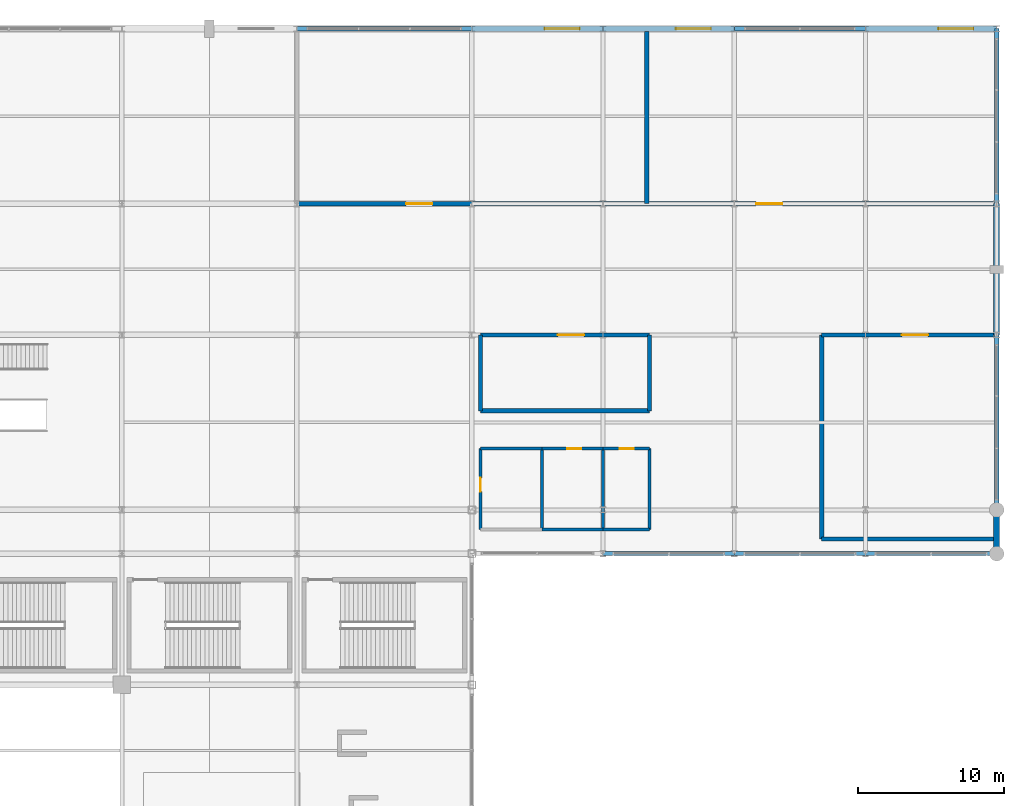
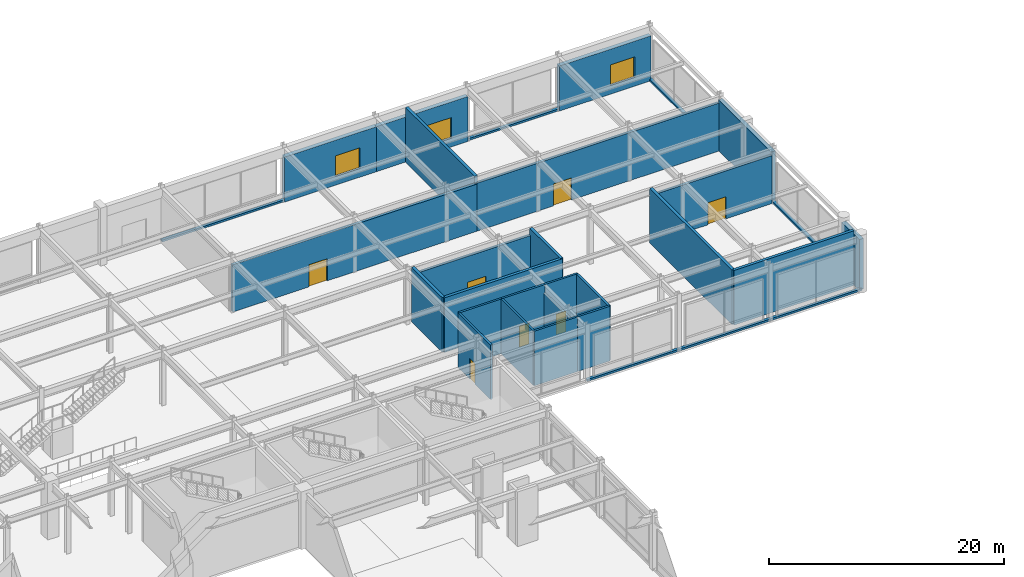
# One storey, part 91 of 105: 31 walls, 7 doors, 3 windows, 10 openings.
"""IFC4 building model written with IfcOpenShell, lengths in metres."""

import ifcopenshell
import ifcopenshell.guid

model = None  # the IFC model being written
_history = None  # IfcOwnerHistory: only IFC2X3 demands one
_inside = {}  # id of a spatial element -> (the spatial element, [elements in it])
_under = {}  # id of a project, library or spatial element -> (it, [spatial elements below it])
_declared = {}  # id of a project -> (the project, [libraries it declares])
_typed = {}  # id of a type object -> (the type object, [elements of that type])
_made_of = {}  # id of a material, layer set ... -> (it, [elements and type objects made of it])


def new_model(schema):
    """Start an empty IFC model of exactly this schema.

    Asked for "IFC4X3", IfcOpenShell would pick the latest addendum, in which some entities
    have other attributes; the version numbers below select the first issue.
    IFC2X3 requires an IfcOwnerHistory on every rooted entity: one is made here for all.
    """
    global model, _history
    if schema == "IFC4X3":
        model = ifcopenshell.file(schema_version=(4, 3, 0, 0))
    else:
        model = ifcopenshell.file(schema=schema)
    _inside.clear()
    _under.clear()
    _declared.clear()
    _typed.clear()
    _made_of.clear()
    _history = None
    if model.schema == "IFC2X3":
        org = make("IfcOrganization", Name="unknown")
        user = make(
            "IfcPersonAndOrganization",
            ThePerson=make("IfcPerson", FamilyName="unknown"),
            TheOrganization=org,
        )
        app = make(
            "IfcApplication",
            ApplicationDeveloper=org,
            Version="unknown",
            ApplicationFullName="unknown",
            ApplicationIdentifier="unknown",
        )
        _history = make(
            "IfcOwnerHistory",
            OwningUser=user,
            OwningApplication=app,
            ChangeAction="ADDED",
            CreationDate=0,
        )
    return model


def make(cls, **values):
    """One entity of the class cls with the attributes given. An attribute that is None is left unset."""
    return model.create_entity(
        cls, **{name: value for name, value in values.items() if value is not None}
    )


def rooted(cls, **values):
    """An entity with a GlobalId (a new one), such as an element, a storey or a relation."""
    return make(cls, GlobalId=ifcopenshell.guid.new(), OwnerHistory=_history, **values)


def si_unit(unit_type, name, prefix=None):
    """IfcSIUnit, for example si_unit("LENGTHUNIT", "METRE", prefix="MILLI")."""
    return make("IfcSIUnit", UnitType=unit_type, Prefix=prefix, Name=name)


def assignment(units):
    """IfcUnitAssignment: the units of a project."""
    return None if units is None else make("IfcUnitAssignment", Units=units)


def point(xyz):
    """IfcCartesianPoint."""
    return None if xyz is None else make("IfcCartesianPoint", Coordinates=xyz)


def direction(xyz):
    """IfcDirection."""
    return None if xyz is None else make("IfcDirection", DirectionRatios=xyz)


def frame(location, z_axis=None, x_axis=None):
    """IfcAxis2Placement3D, a coordinate frame: its origin and axes. An axis left out is left unset."""
    return make(
        "IfcAxis2Placement3D",
        Location=point(location),
        Axis=direction(z_axis),
        RefDirection=direction(x_axis),
    )


def frame_2d(location, x_axis=None):
    """IfcAxis2Placement2D, a coordinate frame in the plane: its origin and x axis."""
    return make(
        "IfcAxis2Placement2D", Location=point(location), RefDirection=direction(x_axis)
    )


def origin():
    """The frame at (0, 0, 0) with its axes left unset."""
    return frame((0.0, 0.0, 0.0))


def place(relative_to, where):
    """IfcLocalPlacement: puts the frame where relative to a parent placement (None: the world)."""
    return make(
        "IfcLocalPlacement", PlacementRelTo=relative_to, RelativePlacement=where
    )


def context(
    kind, dimensions, precision=None, world=None, true_north=None, identifier=None
):
    """IfcGeometricRepresentationContext, for example the 3D "Model" context."""
    return make(
        "IfcGeometricRepresentationContext",
        ContextIdentifier=identifier,
        ContextType=kind,
        CoordinateSpaceDimension=dimensions,
        Precision=precision,
        WorldCoordinateSystem=world,
        TrueNorth=true_north,
    )


def subcontext(parent, identifier, kind, view, scale=None):
    """IfcGeometricRepresentationSubContext, for example "Body" below "Model"."""
    return make(
        "IfcGeometricRepresentationSubContext",
        ContextIdentifier=identifier,
        ContextType=kind,
        ParentContext=parent,
        TargetScale=scale,
        TargetView=view,
    )


def project(units=None, contexts=None):
    """IfcProject with its units and contexts."""
    return rooted(
        "IfcProject",
        Name="project",
        RepresentationContexts=contexts,
        UnitsInContext=assignment(units),
    )


def spatial(cls, under=None, at=None, **own):
    """A site, building, storey or space (cls), placed at a placement, below another one or the project."""
    s = rooted(cls, ObjectPlacement=at, **own)
    if under is not None:
        _under.setdefault(under.id(), (under, []))[1].append(s)
    return s


def profile(cls, at=None, kind="AREA", **sizes):
    """A parametric profile (cls). Its sizes go by their IFC names, for example OverallWidth=200.0."""
    return make(cls, ProfileType=kind, Position=at, **sizes)


def rectangle(**sizes):
    """IfcRectangleProfileDef."""
    return profile("IfcRectangleProfileDef", **sizes)


def extrude(swept, where, along, depth):
    """IfcExtrudedAreaSolid: the profile swept, set in the frame where, extruded along a direction by depth."""
    return make(
        "IfcExtrudedAreaSolid",
        SweptArea=swept,
        Position=where,
        ExtrudedDirection=direction(along),
        Depth=depth,
    )


def shape(context_of_items, identifier, shape_type, items):
    """IfcShapeRepresentation: the items that make up one representation, for example the "Body"."""
    return make(
        "IfcShapeRepresentation",
        ContextOfItems=context_of_items,
        RepresentationIdentifier=identifier,
        RepresentationType=shape_type,
        Items=items,
    )


def material(Name=None, Category=None):
    """IfcMaterial."""
    return make("IfcMaterial", Name=Name, Category=Category)


def layer(
    of_material, thickness, ventilated=None, Name=None, Category=None, Priority=None
):
    """IfcMaterialLayer: one layer of a wall or slab, of a material (None: an air gap)."""
    return make(
        "IfcMaterialLayer",
        Material=of_material,
        LayerThickness=thickness,
        IsVentilated=ventilated,
        Name=Name,
        Category=Category,
        Priority=Priority,
    )


def layer_set(layers, Name=None):
    """IfcMaterialLayerSet."""
    return make("IfcMaterialLayerSet", MaterialLayers=layers, LayerSetName=Name)


def made_of(thing, what):
    """Note that an element or type object is made of a material, layer set ...; save() writes the relation."""
    if what is not None:
        _made_of.setdefault(what.id(), (what, []))[1].append(thing)
    return thing


def type_object(cls, material=None, **own):
    """A type object (cls), such as IfcWallType, which elements share."""
    return made_of(rooted(cls, **own), material)


def element(
    cls,
    number,
    at=None,
    inside=None,
    cuts=None,
    type_object=None,
    material=None,
    context=None,
    identifier="Body",
    shape_type=None,
    held_by="IfcProductDefinitionShape",
    body=None,
    shapes=None,
    **own,
):
    """One element of the class cls, such as IfcWall. Its Tag is "e" and its number.

    at: its placement. inside: the storey or other place that contains it. cuts: it is an
    opening in that element (IfcRelVoidsElement). A single representation is given by context,
    identifier, shape_type and body (its items); several are given by shapes. held_by: the class
    of the entity that holds the representations. save() writes the other relations.
    """
    e = rooted(cls, Tag="e%d" % number, ObjectPlacement=at, **own)
    if body is not None:
        shapes = [shape(context, identifier, shape_type, body)]
    if shapes is not None:
        e.Representation = make(held_by, Representations=shapes)
    if inside is not None:
        _inside.setdefault(inside.id(), (inside, []))[1].append(e)
    if cuts is not None:
        rooted(
            "IfcRelVoidsElement", RelatingBuildingElement=cuts, RelatedOpeningElement=e
        )
    if type_object is not None:
        _typed.setdefault(type_object.id(), (type_object, []))[1].append(e)
    return made_of(e, material)


def fill(opening, filler):
    """IfcRelFillsElement: the door or window that sits in an opening."""
    return rooted(
        "IfcRelFillsElement",
        RelatingOpeningElement=opening,
        RelatedBuildingElement=filler,
    )


def aggregate(whole, parts):
    """IfcRelAggregates: a whole, such as a stair, and the parts it consists of."""
    return rooted("IfcRelAggregates", RelatingObject=whole, RelatedObjects=parts)


def save(model, path):
    """Write the relations noted so far, then the file.

    IfcRelAggregates (storeys below a building ...), IfcRelContainedInSpatialStructure (elements
    in a storey), IfcRelDefinesByType, IfcRelAssociatesMaterial and IfcRelDeclares: one each for
    every whole, place, type object, material and project.
    """
    for whole, parts in _under.values():
        aggregate(whole, parts)
    for where, things in _inside.values():
        rooted(
            "IfcRelContainedInSpatialStructure",
            RelatedElements=things,
            RelatingStructure=where,
        )
    for kind, things in _typed.values():
        rooted("IfcRelDefinesByType", RelatedObjects=things, RelatingType=kind)
    for what, things in _made_of.values():
        rooted("IfcRelAssociatesMaterial", RelatedObjects=things, RelatingMaterial=what)
    for by, libraries in _declared.values():
        rooted("IfcRelDeclares", RelatingContext=by, RelatedDefinitions=libraries)
    model.write(path)


model = new_model("IFC4")

# Units and contexts
model_context = context("Model", 3, precision=1e-05, world=origin(), true_north=direction((0.0, 1.0)))
body_context = subcontext(model_context, "Body", "Model", "MODEL_VIEW")
ifc_project = project(units=[si_unit("LENGTHUNIT", "METRE"), si_unit("AREAUNIT", "SQUARE_METRE"), si_unit("VOLUMEUNIT", "CUBIC_METRE"), si_unit("PLANEANGLEUNIT", "RADIAN"), si_unit("MASSUNIT", "GRAM", prefix="KILO")], contexts=[model_context])

# Site, building, storey
site_placement = place(None, origin())
site = spatial("IfcSite", under=ifc_project, at=site_placement, CompositionType="ELEMENT")
building_placement = place(site_placement, origin())
building = spatial("IfcBuilding", under=site, at=building_placement, Name="Kaldorvane Square Convention Centre", CompositionType="ELEMENT")
storey_placement = place(building_placement, frame((0.0, 0.0, 6.0)))
storey = spatial("IfcBuildingStorey", under=building, at=storey_placement, Name="L01", CompositionType="ELEMENT", Elevation=6.0)

# Walls
ifc_material_1 = material(Name="Reinforced Concrete Masonry Acoustic Partition", Category="masonry")
ifc_layer_1 = layer(ifc_material_1, 0.279998779296875)
ifc_layer_set_1 = layer_set([ifc_layer_1], Name="Reinforced Concrete Masonry Acoustic Partition")
wall_type_1 = type_object("IfcWallType", Name="WL-ACO-280", PredefinedType="PARTITIONING", material=ifc_layer_set_1)
wall_1_placement = place(storey_placement, frame((138.60000610351562, 90.80000305175781, 0.0), z_axis=(0.0, 0.0, 1.0), x_axis=(1.0, 0.0, 0.0)))
element("IfcWall", 1, at=wall_1_placement, inside=storey, type_object=wall_type_1, Name="Meeting Room 104 S Wall", PredefinedType="PARTITIONING", context=body_context, shape_type="SweptSolid", body=[
    extrude(rectangle(XDim=11.599990844726562, YDim=0.279998779296875, at=frame_2d((5.79998779296875, 0.0))), origin(), (0.0, 0.0, 1.0), 5.67999267578125),
])
wall_2_placement = place(storey_placement, frame((150.1999969482422, 90.80000305175781, 0.0), z_axis=(0.0, 0.0, 1.0), x_axis=(0.0, 1.0, 0.0)))
element("IfcWall", 2, at=wall_2_placement, inside=storey, type_object=wall_type_1, Name="Meeting Room 104 E Wall", PredefinedType="PARTITIONING", context=body_context, shape_type="SweptSolid", body=[
    extrude(rectangle(XDim=5.1999969482421875, YDim=0.279998779296875, at=frame_2d((2.600006103515625, 0.0))), origin(), (0.0, 0.0, 1.0), 5.67999267578125),
])

# Wall, opening, door
wall_3_placement = place(storey_placement, frame((150.1999969482422, 96.0, 0.0), z_axis=(0.0, 0.0, 1.0), x_axis=(-1.0, 0.0, 0.0)))
wall_3 = element("IfcWall", 3, at=wall_3_placement, inside=storey, type_object=wall_type_1, Name="Meeting Room 104 N Wall", PredefinedType="PARTITIONING", context=body_context, shape_type="SweptSolid", body=[
    extrude(rectangle(XDim=11.599990844726562, YDim=0.279998779296875, at=frame_2d((5.79998779296875, 0.0))), origin(), (0.0, 0.0, 1.0), 4.98699951171875),
])
opening_1_placement = place(wall_3_placement, frame((4.5, 0.0, 0.0)))
opening_1 = element("IfcOpeningElement", 4, at=opening_1_placement, cuts=wall_3, Name="Opening ID-06", PredefinedType="OPENING", context=body_context, shape_type="SweptSolid", body=[
    extrude(rectangle(XDim=1.8000030517578125, YDim=2.3000030517578125, at=frame_2d((0.899993896484375, 1.149993896484375))), frame((0.0, 0.154998779296875, 0.0), z_axis=(0.0, -1.0, 0.0), x_axis=(1.0, 0.0, 0.0)), (0.0, 0.0, 1.0), 0.30999755859375),
])
ifc_material_2 = material(Name="Architectural Solid-Core White Oak")
door_type_1 = type_object("IfcDoorType", Name="DR-MEET-1800X2300", OperationType="DOUBLE_DOOR_SINGLE_SWING", PredefinedType="DOOR", material=ifc_material_2)
door_1_placement = place(opening_1_placement, origin())
door_1 = element("IfcDoor", 5, at=door_1_placement, inside=storey, type_object=door_type_1, Name="Meeting Room 104 Door 1", OperationType="DOUBLE_DOOR_SINGLE_SWING", OverallHeight=2.3000030517578125, OverallWidth=1.8000030517578125, PredefinedType="DOOR", context=body_context, shape_type="SweptSolid", body=[
    extrude(rectangle(XDim=1.8000030517578125, YDim=2.3000030517578125, at=frame_2d((0.899993896484375, 1.149993896484375))), frame((0.0, 0.024993896484375, 0.0), z_axis=(0.0, -1.0, 0.0), x_axis=(1.0, 0.0, 0.0)), (0.0, 0.0, 1.0), 0.0500030517578125),
])
fill(opening_1, door_1)

# Walls
wall_4_placement = place(storey_placement, frame((138.60000610351562, 96.0, 0.0), z_axis=(0.0, 0.0, 1.0), x_axis=(0.0, -1.0, 0.0)))
element("IfcWall", 6, at=wall_4_placement, inside=storey, type_object=wall_type_1, Name="Meeting Room 104 W Wall", PredefinedType="PARTITIONING", context=body_context, shape_type="SweptSolid", body=[
    extrude(rectangle(XDim=5.1999969482421875, YDim=0.279998779296875, at=frame_2d((2.600006103515625, 0.0))), origin(), (0.0, 0.0, 1.0), 5.67999267578125),
])
wall_5_placement = place(storey_placement, frame((162.0, 82.0, 0.0), z_axis=(0.0, 0.0, 1.0), x_axis=(1.0, 0.0, 0.0)))
element("IfcWall", 7, at=wall_5_placement, inside=storey, type_object=wall_type_1, Name="Meeting Room 105 S Wall", PredefinedType="PARTITIONING", context=body_context, shape_type="SweptSolid", body=[
    extrude(rectangle(XDim=11.794998168945312, YDim=0.279998779296875, at=frame_2d((5.897491455078125, 0.0))), origin(), (0.0, 0.0, 1.0), 5.67999267578125),
])

# Wall, opening, door
wall_6_placement = place(storey_placement, frame((173.7949981689453, 96.0, 0.0), z_axis=(0.0, 0.0, 1.0), x_axis=(-1.0, 0.0, 0.0)))
wall_6 = element("IfcWall", 8, at=wall_6_placement, inside=storey, type_object=wall_type_1, Name="Meeting Room 105 N Wall", PredefinedType="PARTITIONING", context=body_context, shape_type="SweptSolid", body=[
    extrude(rectangle(XDim=11.794998168945312, YDim=0.279998779296875, at=frame_2d((5.897491455078125, 0.0))), origin(), (0.0, 0.0, 1.0), 4.98699951171875),
])
opening_2_placement = place(wall_6_placement, frame((4.5, 0.0, 0.0)))
opening_2 = element("IfcOpeningElement", 9, at=opening_2_placement, cuts=wall_6, Name="Opening ID-06", PredefinedType="OPENING", context=body_context, shape_type="SweptSolid", body=[
    extrude(rectangle(XDim=1.8000030517578125, YDim=2.3000030517578125, at=frame_2d((0.899993896484375, 1.149993896484375))), frame((0.0, 0.154998779296875, 0.0), z_axis=(0.0, -1.0, 0.0), x_axis=(1.0, 0.0, 0.0)), (0.0, 0.0, 1.0), 0.30999755859375),
])
door_2_placement = place(opening_2_placement, origin())
door_2 = element("IfcDoor", 10, at=door_2_placement, inside=storey, type_object=door_type_1, Name="Meeting Room 105 Door 1", OperationType="DOUBLE_DOOR_SINGLE_SWING", OverallHeight=2.3000030517578125, OverallWidth=1.8000030517578125, PredefinedType="DOOR", context=body_context, shape_type="SweptSolid", body=[
    extrude(rectangle(XDim=1.8000030517578125, YDim=2.3000030517578125, at=frame_2d((0.899993896484375, 1.149993896484375))), frame((0.0, 0.024993896484375, 0.0), z_axis=(0.0, -1.0, 0.0), x_axis=(1.0, 0.0, 0.0)), (0.0, 0.0, 1.0), 0.0500030517578125),
])
fill(opening_2, door_2)

# Wall
wall_7_placement = place(storey_placement, frame((162.0, 96.0, 0.0), z_axis=(0.0, 0.0, 1.0), x_axis=(0.0, -1.0, 0.0)))
element("IfcWall", 11, at=wall_7_placement, inside=storey, type_object=wall_type_1, Name="Meeting Room 105 W Wall", PredefinedType="PARTITIONING", context=body_context, shape_type="SweptSolid", body=[
    extrude(rectangle(XDim=14.0, YDim=0.279998779296875, at=frame_2d((7.0, 0.0))), origin(), (0.0, 0.0, 1.0), 5.67999267578125),
])

# Wall, opening, door
wall_8_placement = place(storey_placement, frame((126.0, 105.0, 0.0), z_axis=(0.0, 0.0, 1.0), x_axis=(1.0, 0.0, 0.0)))
wall_8 = element("IfcWall", 12, at=wall_8_placement, inside=storey, type_object=wall_type_1, Name="Meeting Room 106 S Wall", PredefinedType="PARTITIONING", context=body_context, shape_type="SweptSolid", body=[
    extrude(rectangle(XDim=24.0, YDim=0.279998779296875, at=frame_2d((12.0, 0.0))), origin(), (0.0, 0.0, 1.0), 4.9019927978515625),
])
opening_3_placement = place(wall_8_placement, frame((7.5, 0.0, 0.0)))
opening_3 = element("IfcOpeningElement", 13, at=opening_3_placement, cuts=wall_8, Name="Opening ID-06", PredefinedType="OPENING", context=body_context, shape_type="SweptSolid", body=[
    extrude(rectangle(XDim=1.8000030517578125, YDim=2.3000030517578125, at=frame_2d((0.899993896484375, 1.149993896484375))), frame((0.0, 0.154998779296875, 0.0), z_axis=(0.0, -1.0, 0.0), x_axis=(1.0, 0.0, 0.0)), (0.0, 0.0, 1.0), 0.30999755859375),
])
door_3_placement = place(opening_3_placement, origin())
door_3 = element("IfcDoor", 14, at=door_3_placement, inside=storey, type_object=door_type_1, Name="Meeting Room 106 Door 1", OperationType="DOUBLE_DOOR_SINGLE_SWING", OverallHeight=2.3000030517578125, OverallWidth=1.8000030517578125, PredefinedType="DOOR", context=body_context, shape_type="SweptSolid", body=[
    extrude(rectangle(XDim=1.8000030517578125, YDim=2.3000030517578125, at=frame_2d((0.899993896484375, 1.149993896484375))), frame((0.0, 0.024993896484375, 0.0), z_axis=(0.0, -1.0, 0.0), x_axis=(1.0, 0.0, 0.0)), (0.0, 0.0, 1.0), 0.0500030517578125),
])
fill(opening_3, door_3)

# Wall
wall_9_placement = place(storey_placement, frame((150.0, 105.0, 0.0), z_axis=(0.0, 0.0, 1.0), x_axis=(0.0, 1.0, 0.0)))
element("IfcWall", 15, at=wall_9_placement, inside=storey, type_object=wall_type_1, Name="Meeting Room 106 E Wall", PredefinedType="PARTITIONING", context=body_context, shape_type="SweptSolid", body=[
    extrude(rectangle(XDim=11.794998168945312, YDim=0.279998779296875, at=frame_2d((5.897491455078125, 0.0))), origin(), (0.0, 0.0, 1.0), 5.67999267578125),
])

# Wall, opening, door
wall_10_placement = place(storey_placement, frame((150.0, 105.0, 0.0), z_axis=(0.0, 0.0, 1.0), x_axis=(1.0, 0.0, 0.0)))
wall_10 = element("IfcWall", 16, at=wall_10_placement, inside=storey, type_object=wall_type_1, Name="Meeting Room 107 S Wall", PredefinedType="PARTITIONING", context=body_context, shape_type="SweptSolid", body=[
    extrude(rectangle(XDim=23.794998168945312, YDim=0.279998779296875, at=frame_2d((11.897491455078125, 0.0))), origin(), (0.0, 0.0, 1.0), 4.98699951171875),
])
opening_4_placement = place(wall_10_placement, frame((7.5, 0.0, 0.0)))
opening_4 = element("IfcOpeningElement", 17, at=opening_4_placement, cuts=wall_10, Name="Opening ID-06", PredefinedType="OPENING", context=body_context, shape_type="SweptSolid", body=[
    extrude(rectangle(XDim=1.8000030517578125, YDim=2.3000030517578125, at=frame_2d((0.899993896484375, 1.149993896484375))), frame((0.0, 0.154998779296875, 0.0), z_axis=(0.0, -1.0, 0.0), x_axis=(1.0, 0.0, 0.0)), (0.0, 0.0, 1.0), 0.30999755859375),
])
door_4_placement = place(opening_4_placement, origin())
door_4 = element("IfcDoor", 18, at=door_4_placement, inside=storey, type_object=door_type_1, Name="Meeting Room 107 Door 1", OperationType="DOUBLE_DOOR_SINGLE_SWING", OverallHeight=2.3000030517578125, OverallWidth=1.8000030517578125, PredefinedType="DOOR", context=body_context, shape_type="SweptSolid", body=[
    extrude(rectangle(XDim=1.8000030517578125, YDim=2.3000030517578125, at=frame_2d((0.899993896484375, 1.149993896484375))), frame((0.0, 0.024993896484375, 0.0), z_axis=(0.0, -1.0, 0.0), x_axis=(1.0, 0.0, 0.0)), (0.0, 0.0, 1.0), 0.0500030517578125),
])
fill(opening_4, door_4)

# Walls
ifc_material_3 = material(Name="Fire-Rated Gypsum Board on Acoustic Steel Studs", Category="steel")
ifc_layer_2 = layer(ifc_material_3, 0.1999969482421875)
ifc_layer_set_2 = layer_set([ifc_layer_2], Name="Fire-Rated Gypsum Board on Acoustic Steel Studs")
wall_type_2 = type_object("IfcWallType", Name="WL-CORR-200", PredefinedType="PARTITIONING", material=ifc_layer_set_2)
wall_11_placement = place(storey_placement, frame((142.8000030517578, 82.64999389648438, 0.0), z_axis=(0.0, 0.0, 1.0), x_axis=(0.0, 1.0, 0.0)))
element("IfcWall", 19, at=wall_11_placement, inside=storey, type_object=wall_type_2, Name="East Concourse Men's Restroom (L01) E Wall", PredefinedType="PARTITIONING", context=body_context, shape_type="SweptSolid", body=[
    extrude(rectangle(XDim=5.5500030517578125, YDim=0.1999969482421875, at=frame_2d((2.774993896484375, 0.0))), origin(), (0.0, 0.0, 1.0), 5.67999267578125),
])
wall_12_placement = place(storey_placement, frame((142.8000030517578, 88.19999694824219, 0.0), z_axis=(0.0, 0.0, 1.0), x_axis=(-1.0, 0.0, 0.0)))
element("IfcWall", 20, at=wall_12_placement, inside=storey, type_object=wall_type_2, Name="East Concourse Men's Restroom (L01) N Wall", PredefinedType="PARTITIONING", context=body_context, shape_type="SweptSolid", body=[
    extrude(rectangle(XDim=4.1999969482421875, YDim=0.1999969482421875, at=frame_2d((2.100006103515625, 0.0))), origin(), (0.0, 0.0, 1.0), 5.67999267578125),
])

# Wall, opening, door
wall_13_placement = place(storey_placement, frame((138.60000610351562, 88.19999694824219, 0.0), z_axis=(0.0, 0.0, 1.0), x_axis=(0.0, -1.0, 0.0)))
wall_13 = element("IfcWall", 21, at=wall_13_placement, inside=storey, type_object=wall_type_2, Name="East Concourse Men's Restroom (L01) W Wall", PredefinedType="PARTITIONING", context=body_context, shape_type="SweptSolid", body=[
    extrude(rectangle(XDim=5.5500030517578125, YDim=0.1999969482421875, at=frame_2d((2.774993896484375, 0.0))), origin(), (0.0, 0.0, 1.0), 5.67999267578125),
])
opening_5_placement = place(wall_13_placement, frame((2.0, 0.0, 0.0)))
opening_5 = element("IfcOpeningElement", 22, at=opening_5_placement, cuts=wall_13, Name="Opening ID-13", PredefinedType="OPENING", context=body_context, shape_type="SweptSolid", body=[
    extrude(rectangle(XDim=0.9499969482421875, YDim=2.149993896484375, at=frame_2d((0.475006103515625, 1.0749969482421875))), frame((0.0, 0.114990234375, 0.0), z_axis=(0.0, -1.0, 0.0), x_axis=(1.0, 0.0, 0.0)), (0.0, 0.0, 1.0), 0.2299957275390625),
])
door_type_2 = type_object("IfcDoorType", Name="DR-WC-0950X2150", OperationType="SINGLE_SWING_LEFT", PredefinedType="DOOR", material=ifc_material_2)
door_5_placement = place(opening_5_placement, origin())
door_5 = element("IfcDoor", 23, at=door_5_placement, inside=storey, type_object=door_type_2, Name="East Concourse Men's Restroom (L01) Door 1", OperationType="SINGLE_SWING_LEFT", OverallHeight=2.149993896484375, OverallWidth=0.9499969482421875, PredefinedType="DOOR", context=body_context, shape_type="SweptSolid", body=[
    extrude(rectangle(XDim=0.9499969482421875, YDim=2.149993896484375, at=frame_2d((0.475006103515625, 1.0749969482421875))), frame((0.0, 0.024993896484375, 0.0), z_axis=(0.0, -1.0, 0.0), x_axis=(1.0, 0.0, 0.0)), (0.0, 0.0, 1.0), 0.0500030517578125),
])
fill(opening_5, door_5)

# Walls
wall_14_placement = place(storey_placement, frame((142.8000030517578, 82.64999389648438, 0.0), z_axis=(0.0, 0.0, 1.0), x_axis=(1.0, 0.0, 0.0)))
element("IfcWall", 24, at=wall_14_placement, inside=storey, type_object=wall_type_2, Name="East Concourse Women's Restroom (L01) S Wall", PredefinedType="PARTITIONING", context=body_context, shape_type="SweptSolid", body=[
    extrude(rectangle(XDim=4.1999969482421875, YDim=0.1999969482421875, at=frame_2d((2.100006103515625, 0.0))), origin(), (0.0, 0.0, 1.0), 5.67999267578125),
])
wall_15_placement = place(storey_placement, frame((147.0, 82.64999389648438, 0.0), z_axis=(0.0, 0.0, 1.0), x_axis=(0.0, 1.0, 0.0)))
element("IfcWall", 25, at=wall_15_placement, inside=storey, type_object=wall_type_2, Name="East Concourse Women's Restroom (L01) E Wall", PredefinedType="PARTITIONING", context=body_context, shape_type="SweptSolid", body=[
    extrude(rectangle(XDim=5.5500030517578125, YDim=0.1999969482421875, at=frame_2d((2.774993896484375, 0.0))), origin(), (0.0, 0.0, 1.0), 4.8300018310546875),
])

# Wall, opening, door
wall_16_placement = place(storey_placement, frame((147.0, 88.19999694824219, 0.0), z_axis=(0.0, 0.0, 1.0), x_axis=(-1.0, 0.0, 0.0)))
wall_16 = element("IfcWall", 26, at=wall_16_placement, inside=storey, type_object=wall_type_2, Name="East Concourse Women's Restroom (L01) N Wall", PredefinedType="PARTITIONING", context=body_context, shape_type="SweptSolid", body=[
    extrude(rectangle(XDim=4.1999969482421875, YDim=0.1999969482421875, at=frame_2d((2.100006103515625, 0.0))), origin(), (0.0, 0.0, 1.0), 5.67999267578125),
])
opening_6_placement = place(wall_16_placement, frame((1.5, 0.0, 0.0)))
opening_6 = element("IfcOpeningElement", 27, at=opening_6_placement, cuts=wall_16, Name="Opening ID-13", PredefinedType="OPENING", context=body_context, shape_type="SweptSolid", body=[
    extrude(rectangle(XDim=0.9499969482421875, YDim=2.149993896484375, at=frame_2d((0.475006103515625, 1.0749969482421875))), frame((0.0, 0.114990234375, 0.0), z_axis=(0.0, -1.0, 0.0), x_axis=(1.0, 0.0, 0.0)), (0.0, 0.0, 1.0), 0.2299957275390625),
])
door_6_placement = place(opening_6_placement, origin())
door_6 = element("IfcDoor", 28, at=door_6_placement, inside=storey, type_object=door_type_2, Name="East Concourse Women's Restroom (L01) Door 1", OperationType="SINGLE_SWING_LEFT", OverallHeight=2.149993896484375, OverallWidth=0.9499969482421875, PredefinedType="DOOR", context=body_context, shape_type="SweptSolid", body=[
    extrude(rectangle(XDim=0.9499969482421875, YDim=2.149993896484375, at=frame_2d((0.475006103515625, 1.0749969482421875))), frame((0.0, 0.024993896484375, 0.0), z_axis=(0.0, -1.0, 0.0), x_axis=(1.0, 0.0, 0.0)), (0.0, 0.0, 1.0), 0.0500030517578125),
])
fill(opening_6, door_6)

# Walls
wall_17_placement = place(storey_placement, frame((147.0, 82.64999389648438, 0.0), z_axis=(0.0, 0.0, 1.0), x_axis=(1.0, 0.0, 0.0)))
element("IfcWall", 29, at=wall_17_placement, inside=storey, type_object=wall_type_2, Name="East Concourse Accessible Restroom (L01) S Wall", PredefinedType="PARTITIONING", context=body_context, shape_type="SweptSolid", body=[
    extrude(rectangle(XDim=3.1999969482421875, YDim=0.1999969482421875, at=frame_2d((1.600006103515625, 0.0))), origin(), (0.0, 0.0, 1.0), 5.67999267578125),
])
wall_18_placement = place(storey_placement, frame((150.1999969482422, 82.64999389648438, 0.0), z_axis=(0.0, 0.0, 1.0), x_axis=(0.0, 1.0, 0.0)))
element("IfcWall", 30, at=wall_18_placement, inside=storey, type_object=wall_type_2, Name="East Concourse Accessible Restroom (L01) E Wall", PredefinedType="PARTITIONING", context=body_context, shape_type="SweptSolid", body=[
    extrude(rectangle(XDim=5.5500030517578125, YDim=0.1999969482421875, at=frame_2d((2.774993896484375, 0.0))), origin(), (0.0, 0.0, 1.0), 5.67999267578125),
])

# Wall, opening, door
wall_19_placement = place(storey_placement, frame((150.1999969482422, 88.19999694824219, 0.0), z_axis=(0.0, 0.0, 1.0), x_axis=(-1.0, 0.0, 0.0)))
wall_19 = element("IfcWall", 31, at=wall_19_placement, inside=storey, type_object=wall_type_2, Name="East Concourse Accessible Restroom (L01) N Wall", PredefinedType="PARTITIONING", context=body_context, shape_type="SweptSolid", body=[
    extrude(rectangle(XDim=3.1999969482421875, YDim=0.1999969482421875, at=frame_2d((1.600006103515625, 0.0))), origin(), (0.0, 0.0, 1.0), 5.67999267578125),
])
opening_7_placement = place(wall_19_placement, frame((1.100006103515625, 0.0, 0.0)))
opening_7 = element("IfcOpeningElement", 32, at=opening_7_placement, cuts=wall_19, Name="Opening ID-13", PredefinedType="OPENING", context=body_context, shape_type="SweptSolid", body=[
    extrude(rectangle(XDim=0.9499969482421875, YDim=2.149993896484375, at=frame_2d((0.475006103515625, 1.0749969482421875))), frame((0.0, 0.114990234375, 0.0), z_axis=(0.0, -1.0, 0.0), x_axis=(1.0, 0.0, 0.0)), (0.0, 0.0, 1.0), 0.2299957275390625),
])
door_7_placement = place(opening_7_placement, origin())
door_7 = element("IfcDoor", 33, at=door_7_placement, inside=storey, type_object=door_type_2, Name="East Concourse Accessible Restroom (L01) Door 1", OperationType="SINGLE_SWING_LEFT", OverallHeight=2.149993896484375, OverallWidth=0.9499969482421875, PredefinedType="DOOR", context=body_context, shape_type="SweptSolid", body=[
    extrude(rectangle(XDim=0.9499969482421875, YDim=2.149993896484375, at=frame_2d((0.475006103515625, 1.0749969482421875))), frame((0.0, 0.024993896484375, 0.0), z_axis=(0.0, -1.0, 0.0), x_axis=(1.0, 0.0, 0.0)), (0.0, 0.0, 1.0), 0.0500030517578125),
])
fill(opening_7, door_7)

# Wall, opening, window
ifc_material_4 = material(Name="Concrete f'c = 42 MPa (Normalweight)", Category="concrete")
ifc_layer_3 = layer(ifc_material_4, 0.410003662109375)
ifc_layer_set_3 = layer_set([ifc_layer_3], Name="Concrete f'c = 42 MPa (Normalweight)")
wall_type_3 = type_object("IfcWallType", Name="WL-EXT-410", PredefinedType="STANDARD", material=ifc_layer_set_3)
wall_20_placement = place(storey_placement, frame((147.0, 117.0, 0.0), z_axis=(0.0, 0.0, 1.0), x_axis=(-1.0, 0.0, 0.0)))
wall_20 = element("IfcWall", 34, at=wall_20_placement, inside=storey, type_object=wall_type_3, Name="North Square Brutalist Facade Wall (L01)", PredefinedType="STANDARD", context=body_context, shape_type="SweptSolid", body=[
    extrude(rectangle(XDim=9.0, YDim=0.410003662109375, at=frame_2d((4.5, 0.0))), origin(), (0.0, 0.0, 1.0), 4.675994873046875),
])
opening_8_placement = place(wall_20_placement, frame((1.600006103515625, 0.0, 0.899993896484375)))
opening_8 = element("IfcOpeningElement", 35, at=opening_8_placement, cuts=wall_20, Name="Opening W-19", PredefinedType="OPENING", context=body_context, shape_type="SweptSolid", body=[
    extrude(rectangle(XDim=2.399993896484375, YDim=2.149993896484375, at=frame_2d((1.1999969482421875, 1.0749969482421875))), frame((0.0, 0.220001220703125, 0.0), z_axis=(0.0, -1.0, 0.0), x_axis=(1.0, 0.0, 0.0)), (0.0, 0.0, 1.0), 0.44000244140625),
])
ifc_material_5 = material(Name="Anodized Aluminum and Low-E Insulated Glazing", Category="aluminium")
window_type = type_object("IfcWindowType", Name="WN-POD-2400X2150", PartitioningType="DOUBLE_PANEL_VERTICAL", PredefinedType="WINDOW", material=ifc_material_5)
window_1_placement = place(opening_8_placement, origin())
window_1 = element("IfcWindow", 36, at=window_1_placement, inside=storey, type_object=window_type, Name="North Facade Window (L01)", OverallHeight=2.149993896484375, OverallWidth=2.399993896484375, PartitioningType="DOUBLE_PANEL_VERTICAL", PredefinedType="WINDOW", context=body_context, shape_type="SweptSolid", body=[
    extrude(rectangle(XDim=2.399993896484375, YDim=2.149993896484375, at=frame_2d((1.1999969482421875, 1.0749969482421875))), frame((0.0, 0.029998779296875, 0.0), z_axis=(0.0, -1.0, 0.0), x_axis=(1.0, 0.0, 0.0)), (0.0, 0.0, 1.0), 0.05999755859375),
])
fill(opening_8, window_1)

wall_21_placement = place(storey_placement, frame((156.0, 117.0, 0.0), z_axis=(0.0, 0.0, 1.0), x_axis=(-1.0, 0.0, 0.0)))
wall_21 = element("IfcWall", 37, at=wall_21_placement, inside=storey, type_object=wall_type_3, Name="North Square Brutalist Facade Wall (L01)", PredefinedType="STANDARD", context=body_context, shape_type="SweptSolid", body=[
    extrude(rectangle(XDim=9.0, YDim=0.410003662109375, at=frame_2d((4.5, 0.0))), origin(), (0.0, 0.0, 1.0), 4.675994873046875),
])
opening_9_placement = place(wall_21_placement, frame((1.600006103515625, 0.0, 0.899993896484375)))
opening_9 = element("IfcOpeningElement", 38, at=opening_9_placement, cuts=wall_21, Name="Opening W-19", PredefinedType="OPENING", context=body_context, shape_type="SweptSolid", body=[
    extrude(rectangle(XDim=2.399993896484375, YDim=2.149993896484375, at=frame_2d((1.1999969482421875, 1.0749969482421875))), frame((0.0, 0.220001220703125, 0.0), z_axis=(0.0, -1.0, 0.0), x_axis=(1.0, 0.0, 0.0)), (0.0, 0.0, 1.0), 0.44000244140625),
])
window_2_placement = place(opening_9_placement, origin())
window_2 = element("IfcWindow", 39, at=window_2_placement, inside=storey, type_object=window_type, Name="North Facade Window (L01)", OverallHeight=2.149993896484375, OverallWidth=2.399993896484375, PartitioningType="DOUBLE_PANEL_VERTICAL", PredefinedType="WINDOW", context=body_context, shape_type="SweptSolid", body=[
    extrude(rectangle(XDim=2.399993896484375, YDim=2.149993896484375, at=frame_2d((1.1999969482421875, 1.0749969482421875))), frame((0.0, 0.029998779296875, 0.0), z_axis=(0.0, -1.0, 0.0), x_axis=(1.0, 0.0, 0.0)), (0.0, 0.0, 1.0), 0.05999755859375),
])
fill(opening_9, window_2)

wall_22_placement = place(storey_placement, frame((174.0, 117.0, 0.0), z_axis=(0.0, 0.0, 1.0), x_axis=(-1.0, 0.0, 0.0)))
wall_22 = element("IfcWall", 40, at=wall_22_placement, inside=storey, type_object=wall_type_3, Name="North Square Brutalist Facade Wall (L01)", PredefinedType="STANDARD", context=body_context, shape_type="SweptSolid", body=[
    extrude(rectangle(XDim=9.0, YDim=0.410003662109375, at=frame_2d((4.5, 0.0))), origin(), (0.0, 0.0, 1.0), 4.675994873046875),
])
opening_10_placement = place(wall_22_placement, frame((1.600006103515625, 0.0, 0.899993896484375)))
opening_10 = element("IfcOpeningElement", 41, at=opening_10_placement, cuts=wall_22, Name="Opening W-19", PredefinedType="OPENING", context=body_context, shape_type="SweptSolid", body=[
    extrude(rectangle(XDim=2.399993896484375, YDim=2.149993896484375, at=frame_2d((1.1999969482421875, 1.0749969482421875))), frame((0.0, 0.220001220703125, 0.0), z_axis=(0.0, -1.0, 0.0), x_axis=(1.0, 0.0, 0.0)), (0.0, 0.0, 1.0), 0.44000244140625),
])
window_3_placement = place(opening_10_placement, origin())
window_3 = element("IfcWindow", 42, at=window_3_placement, inside=storey, type_object=window_type, Name="North Facade Window (L01)", OverallHeight=2.149993896484375, OverallWidth=2.399993896484375, PartitioningType="DOUBLE_PANEL_VERTICAL", PredefinedType="WINDOW", context=body_context, shape_type="SweptSolid", body=[
    extrude(rectangle(XDim=2.399993896484375, YDim=2.149993896484375, at=frame_2d((1.1999969482421875, 1.0749969482421875))), frame((0.0, 0.029998779296875, 0.0), z_axis=(0.0, -1.0, 0.0), x_axis=(1.0, 0.0, 0.0)), (0.0, 0.0, 1.0), 0.05999755859375),
])
fill(opening_10, window_3)

# Walls
wall_23_placement = place(storey_placement, frame((174.0, 81.0, 0.0), z_axis=(0.0, 0.0, 1.0), x_axis=(0.0, 1.0, 0.0)))
element("IfcWall", 43, at=wall_23_placement, inside=storey, type_object=wall_type_3, Name="East Square Brutalist Wing Wall (L01)", PredefinedType="STANDARD", context=body_context, shape_type="SweptSolid", body=[
    extrude(rectangle(XDim=3.0, YDim=0.410003662109375, at=frame_2d((1.5, 0.0))), origin(), (0.0, 0.0, 1.0), 5.2689971923828125),
])
wall_24_placement = place(storey_placement, frame((174.0, 96.0, 0.0), z_axis=(0.0, 0.0, 1.0), x_axis=(0.0, 1.0, 0.0)))
element("IfcWall", 44, at=wall_24_placement, inside=storey, type_object=wall_type_3, Name="East Square Brutalist Wing Wall (L01)", PredefinedType="STANDARD", context=body_context, shape_type="SweptSolid", body=[
    extrude(rectangle(XDim=9.0, YDim=0.410003662109375, at=frame_2d((4.5, 0.0))), origin(), (0.0, 0.0, 1.0), 5.2689971923828125),
])
ifc_material_6 = material(Name="Concrete f'c = 35 MPa (Normalweight)", Category="concrete")
ifc_layer_4 = layer(ifc_material_6, 0.279998779296875)
ifc_layer_set_4 = layer_set([ifc_layer_4], Name="Concrete f'c = 35 MPa (Normalweight)")
wall_type_4 = type_object("IfcWallType", Name="WL-PAR-280", PredefinedType="PARAPET", material=ifc_layer_set_4)
wall_25_placement = place(storey_placement, frame((138.0, 117.0, 0.0), z_axis=(0.0, 0.0, 1.0), x_axis=(-1.0, 0.0, 0.0)))
element("IfcWall", 45, at=wall_25_placement, inside=storey, type_object=wall_type_4, Name="North Curtain-Wall Sill Kerb (L01)", PredefinedType="PARAPET", context=body_context, shape_type="SweptSolid", body=[
    extrude(rectangle(XDim=12.0, YDim=0.279998779296875, at=frame_2d((6.0, 0.0))), origin(), (0.0, 0.0, 1.0), 0.1999969482421875),
])
wall_26_placement = place(storey_placement, frame((165.0, 117.0, 0.0), z_axis=(0.0, 0.0, 1.0), x_axis=(-1.0, 0.0, 0.0)))
element("IfcWall", 46, at=wall_26_placement, inside=storey, type_object=wall_type_4, Name="North Curtain-Wall Sill Kerb (L01)", PredefinedType="PARAPET", context=body_context, shape_type="SweptSolid", body=[
    extrude(rectangle(XDim=9.0, YDim=0.279998779296875, at=frame_2d((4.5, 0.0))), origin(), (0.0, 0.0, 1.0), 0.1999969482421875),
])
for number, where, z_axis, x_axis, name in (
    (47, (174.0, 84.0, 0.0), (0.0, 0.0, 1.0), (0.0, 1.0, 0.0), "East Curtain-Wall Sill Kerb (L01)"),
    (48, (174.0, 105.0, 0.0), (0.0, 0.0, 1.0), (0.0, 1.0, 0.0), "East Curtain-Wall Sill Kerb (L01)"),
):
    element("IfcWall", number, at=place(storey_placement, frame(where, z_axis=z_axis, x_axis=x_axis)), inside=storey, type_object=wall_type_4, Name=name, PredefinedType="PARAPET", context=body_context, shape_type="SweptSolid", body=[
        extrude(rectangle(XDim=12.0, YDim=0.279998779296875, at=frame_2d((6.0, 0.0))), origin(), (0.0, 0.0, 1.0), 0.1999969482421875),
    ])
for number, where, z_axis, x_axis, name in (
    (49, (147.0, 81.0, 0.0), (0.0, 0.0, 1.0), (1.0, 0.0, 0.0), "Forecourt Glazing Sill (L01)"),
    (50, (156.0, 81.0, 0.0), (0.0, 0.0, 1.0), (1.0, 0.0, 0.0), "Forecourt Glazing Sill (L01)"),
    (51, (165.0, 81.0, 0.0), (0.0, 0.0, 1.0), (1.0, 0.0, 0.0), "Forecourt Glazing Sill (L01)"),
):
    element("IfcWall", number, at=place(storey_placement, frame(where, z_axis=z_axis, x_axis=x_axis)), inside=storey, type_object=wall_type_4, Name=name, PredefinedType="PARAPET", context=body_context, shape_type="SweptSolid", body=[
        extrude(rectangle(XDim=9.0, YDim=0.279998779296875, at=frame_2d((4.5, 0.0))), origin(), (0.0, 0.0, 1.0), 0.1999969482421875),
    ])

save(model, "model.ifc")
